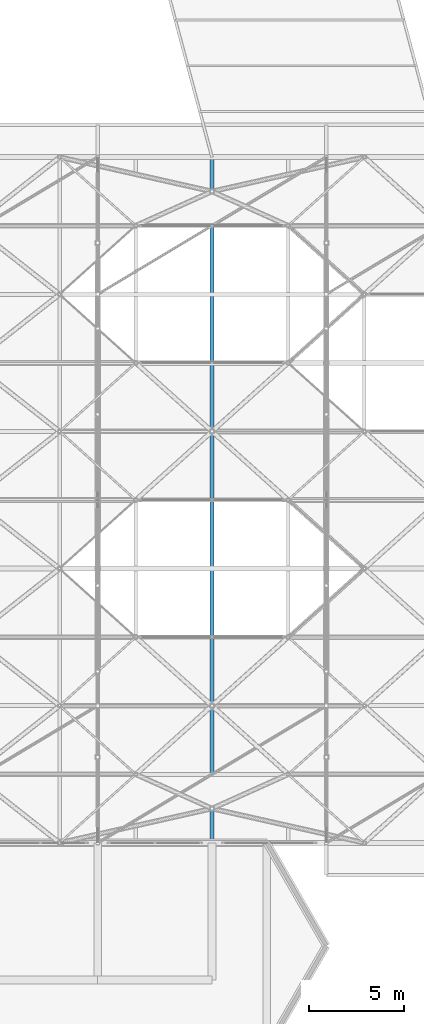
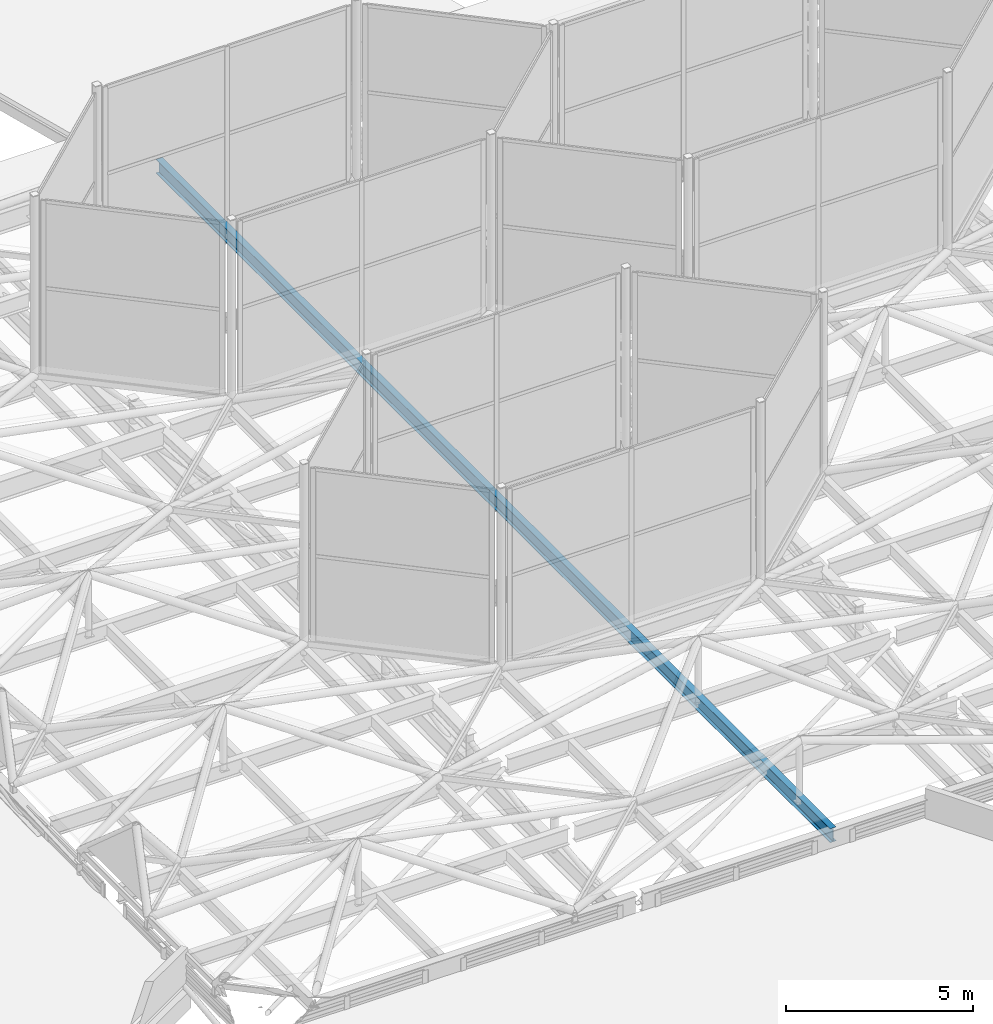
# One storey, part 63 of 239: 1 beam.
"""IFC4 building model written with IfcOpenShell, lengths in metres."""

from ifc_helpers import new_model, si_unit, direction, frame, origin, origin_2d, place, context, subcontext, project, spatial, i_section, extrude, material, material_profile, profile_set, type_object, element, save


model = new_model("IFC4")

# Units and contexts
model_context = context("Model", 3, precision=1e-05, world=origin(), true_north=direction((0.0, 1.0)))
body_context = subcontext(model_context, "Body", "Model", "MODEL_VIEW")
ifc_project = project(units=[si_unit("LENGTHUNIT", "METRE"), si_unit("AREAUNIT", "SQUARE_METRE"), si_unit("VOLUMEUNIT", "CUBIC_METRE"), si_unit("PLANEANGLEUNIT", "RADIAN"), si_unit("MASSUNIT", "GRAM", prefix="KILO")], contexts=[model_context])

# Site, building, storey
site_placement = place(None, origin())
site = spatial("IfcSite", under=ifc_project, at=site_placement, CompositionType="ELEMENT")
building_placement = place(site_placement, origin())
building = spatial("IfcBuilding", under=site, at=building_placement, Name="Dunvalen Ferry Terminal", CompositionType="ELEMENT")
storey_placement = place(building_placement, frame((0.0, 0.0, 9.840087890625)))
storey = spatial("IfcBuildingStorey", under=building, at=storey_placement, Name="L02", CompositionType="ELEMENT", Elevation=9.840087890625)

# Beam
ifc_material = material(Name="Steel S355", Category="steel")
ifc_material_profile = material_profile(ifc_material, i_section(OverallWidth=0.1904296875, OverallDepth=0.45703125, WebThickness=0.009033203125, FlangeThickness=0.014404296875, FilletRadius=0.01025390625, at=origin_2d()), Name="Steel S355")
ifc_profile_set = profile_set([ifc_material_profile], Name="Steel S355")
beam_type = type_object("IfcBeamType", Name="STR-BM-UKB457", PredefinedType="BEAM", material=ifc_profile_set)
beam_placement = place(storey_placement, frame((30.0, 50.39990234375, 0.771484375), z_axis=(0.0, 1.0, 0.0), x_axis=(-1.0, 0.0, 0.0)))
element("IfcBeam", 1, at=beam_placement, inside=storey, type_object=beam_type, Name="Departure Hall Hex-Grid Cross Beam B2.2", PredefinedType="BEAM", context=body_context, shape_type="SweptSolid", body=[
    extrude(i_section(OverallWidth=0.1904296875, OverallDepth=0.45703125, WebThickness=0.009033203125, FlangeThickness=0.014404296875, FilletRadius=0.01025390625, at=origin_2d()), origin(), (0.0, 0.0, 1.0), 36.0),
])

save(model, "model.ifc")
